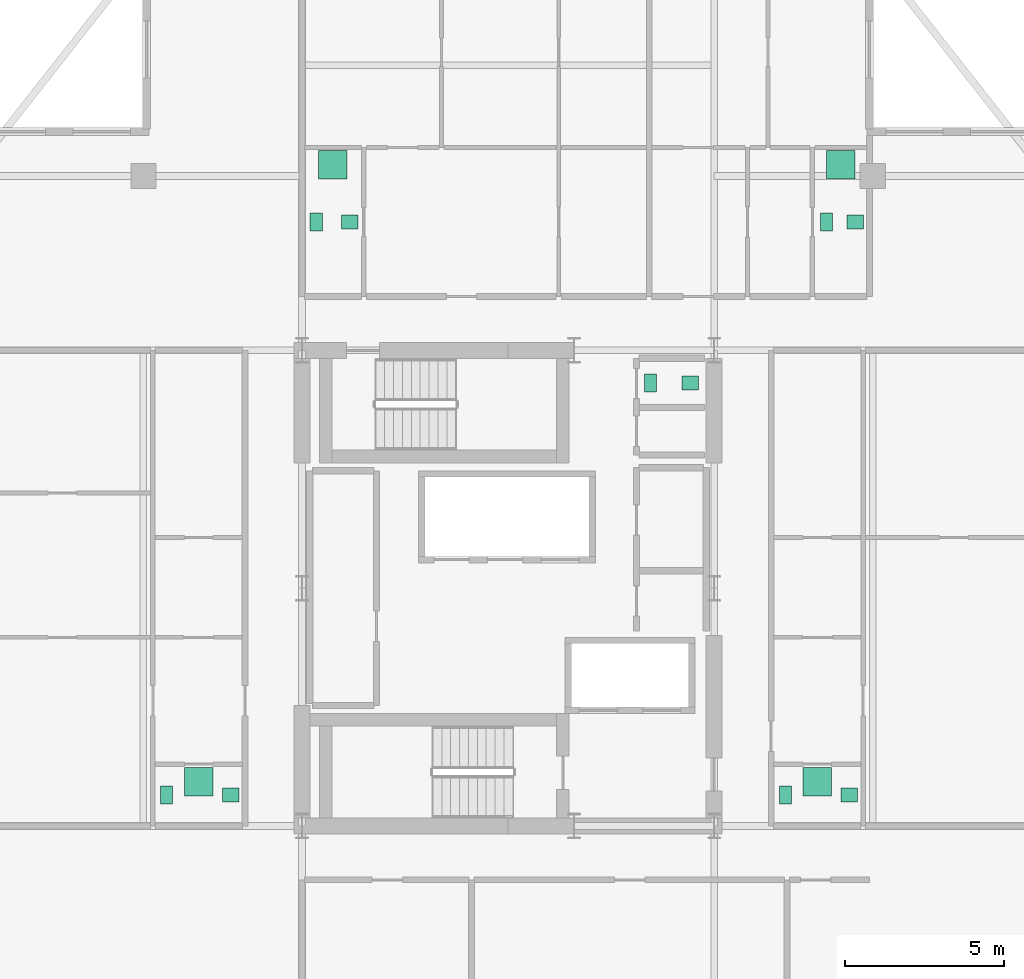
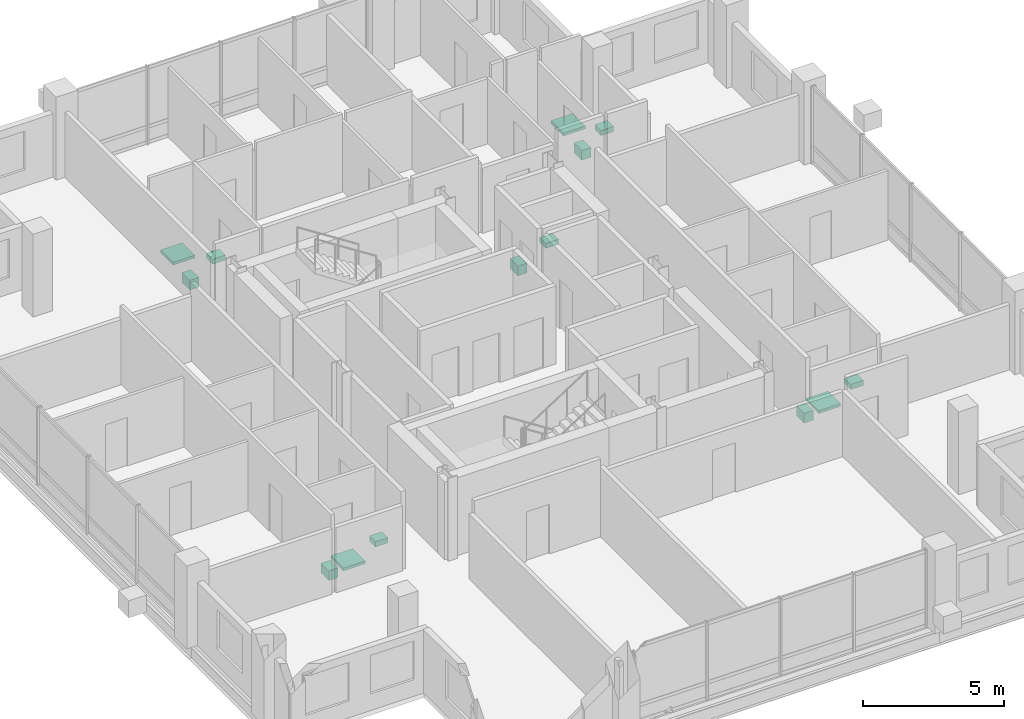
# One storey, part 21 of 21: 14 sanitary terminals.
"""IFC4 building model written with IfcOpenShell, lengths in metres."""

from ifc_helpers import new_model, si_unit, direction, frame, origin, origin_2d, place, context, subcontext, project, spatial, rectangle, extrude, material, type_object, element, save


model = new_model("IFC4")

# Units and contexts
model_context = context("Model", 3, precision=1e-05, world=origin(), true_north=direction((0.0, 1.0)))
body_context = subcontext(model_context, "Body", "Model", "MODEL_VIEW")
ifc_project = project(units=[si_unit("LENGTHUNIT", "METRE"), si_unit("AREAUNIT", "SQUARE_METRE"), si_unit("VOLUMEUNIT", "CUBIC_METRE"), si_unit("PLANEANGLEUNIT", "RADIAN"), si_unit("MASSUNIT", "GRAM", prefix="KILO")], contexts=[model_context])

# Site, building, storey
site_placement = place(None, origin())
site = spatial("IfcSite", under=ifc_project, at=site_placement, CompositionType="ELEMENT")
building_placement = place(site_placement, origin())
building = spatial("IfcBuilding", under=site, at=building_placement, Name="Barlavira Tower and Art Museum", CompositionType="ELEMENT")
storey_placement = place(building_placement, frame((0.0, 0.0, 254.699951171875)))
storey = spatial("IfcBuildingStorey", under=building, at=storey_placement, Name="L66", CompositionType="ELEMENT", Elevation=254.699951171875)

# Sanitary terminals
ifc_material = material(Name="Vitreous glazed ceramic", Category="ceramic")
sanitary_terminal_type_1 = type_object("IfcSanitaryTerminalType", Name="Countertop Ceramic Wash Hand Basin", PredefinedType="WASHHANDBASIN", material=ifc_material)
for number, where, z_axis, x_axis, name in (
    (1, (5.75, 6.47509765625, 0.740234375), (0.0, 0.0, 1.0), (1.0, 0.0, 0.0), "L66-C-WC1 Wash Basin"),
    (2, (-5.0, 11.550048828125, 0.740234375), (0.0, 0.0, 1.0), (1.0, 0.0, 0.0), "L66-N1-BTH1 Wash Basin"),
    (3, (10.949951171875, 11.550048828125, 0.740234375), (0.0, 0.0, 1.0), (1.0, 0.0, 0.0), "L66-N2-BTH1 Wash Basin"),
    (4, (-8.75, -6.52490234375, 0.740234375), (0.0, 0.0, 1.0), (1.0, 0.0, 0.0), "L66-W1-BTH1 Wash Basin"),
    (5, (10.77001953125, -6.52490234375, 0.740234375), (0.0, 0.0, 1.0), (1.0, 0.0, 0.0), "L66-E1-BTH1 Wash Basin"),
):
    element("IfcSanitaryTerminal", number, at=place(storey_placement, frame(where, z_axis=z_axis, x_axis=x_axis)), inside=storey, type_object=sanitary_terminal_type_1, Name=name, PredefinedType="WASHHANDBASIN", context=body_context, shape_type="SweptSolid", body=[
        extrude(rectangle(XDim=0.52001953125, YDim=0.43994140625, at=origin_2d()), origin(), (0.0, 0.0, 1.0), 0.219970703125),
    ])
sanitary_terminal_type_2 = type_object("IfcSanitaryTerminalType", Name="Walk-In Thermostatic Rain Shower Unit", PredefinedType="SHOWER", material=ifc_material)
for number, where, z_axis, x_axis, name in (
    (6, (-5.52490234375, 13.35009765625, 0.0), (0.0, 0.0, 1.0), (1.0, 0.0, 0.0), "L66-N1-BTH1 Rain Shower"),
    (7, (10.5, 13.35009765625, 0.0), (0.0, 0.0, 1.0), (1.0, 0.0, 0.0), "L66-N2-BTH1 Rain Shower"),
    (8, (-9.760009765625, -6.10009765625, 0.0), (0.0, 0.0, 1.0), (1.0, 0.0, 0.0), "L66-W1-BTH1 Rain Shower"),
    (9, (9.760009765625, -6.10009765625, 0.0), (0.0, 0.0, 1.0), (1.0, 0.0, 0.0), "L66-E1-BTH1 Rain Shower"),
):
    element("IfcSanitaryTerminal", number, at=place(storey_placement, frame(where, z_axis=z_axis, x_axis=x_axis)), inside=storey, type_object=sanitary_terminal_type_2, Name=name, PredefinedType="SHOWER", context=body_context, shape_type="SweptSolid", body=[
        extrude(rectangle(XDim=0.89990234375, YDim=0.89990234375, at=origin_2d()), origin(), (0.0, 0.0, 1.0), 0.1201171875),
    ])
sanitary_terminal_type_3 = type_object("IfcSanitaryTerminalType", Name="Wall-Hung Dual-Flush Vitreous WC Pan", PredefinedType="TOILETPAN", material=ifc_material)
for number, where, z_axis, x_axis, name in (
    (10, (4.5, 6.47509765625, 0.0), (0.0, 0.0, 1.0), (1.0, 0.0, 0.0), "L66-C-WC1 WC Pan"),
    (11, (-6.050048828125, 11.550048828125, 0.0), (0.0, 0.0, 1.0), (1.0, 0.0, 0.0), "L66-N1-BTH1 WC Pan"),
    (12, (10.050048828125, 11.550048828125, 0.0), (0.0, 0.0, 1.0), (1.0, 0.0, 0.0), "L66-N2-BTH1 WC Pan"),
    (13, (-10.77001953125, -6.52490234375, 0.0), (0.0, 0.0, 1.0), (1.0, 0.0, 0.0), "L66-W1-BTH1 WC Pan"),
    (14, (8.75, -6.52490234375, 0.0), (0.0, 0.0, 1.0), (1.0, 0.0, 0.0), "L66-E1-BTH1 WC Pan"),
):
    element("IfcSanitaryTerminal", number, at=place(storey_placement, frame(where, z_axis=z_axis, x_axis=x_axis)), inside=storey, type_object=sanitary_terminal_type_3, Name=name, PredefinedType="TOILETPAN", context=body_context, shape_type="SweptSolid", body=[
        extrude(rectangle(XDim=0.3798828125, YDim=0.56005859375, at=origin_2d()), origin(), (0.0, 0.0, 1.0), 0.419921875),
    ])

save(model, "model.ifc")
